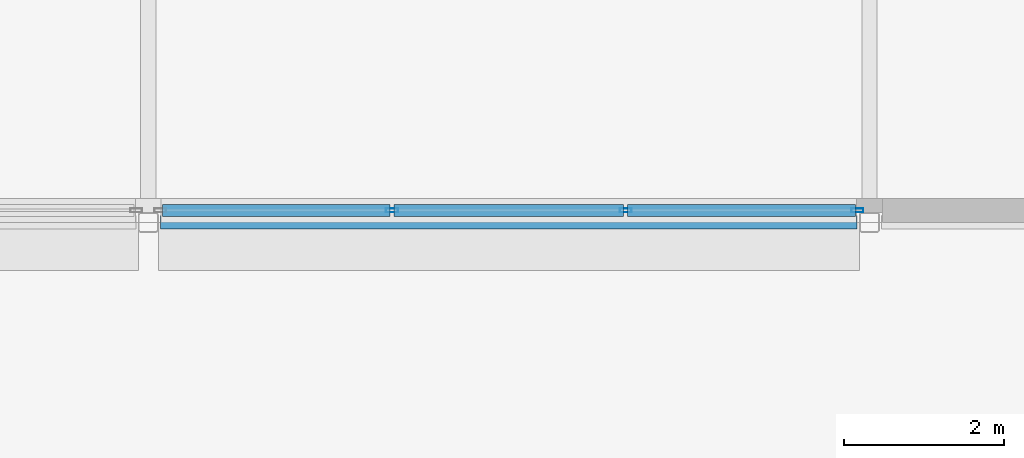
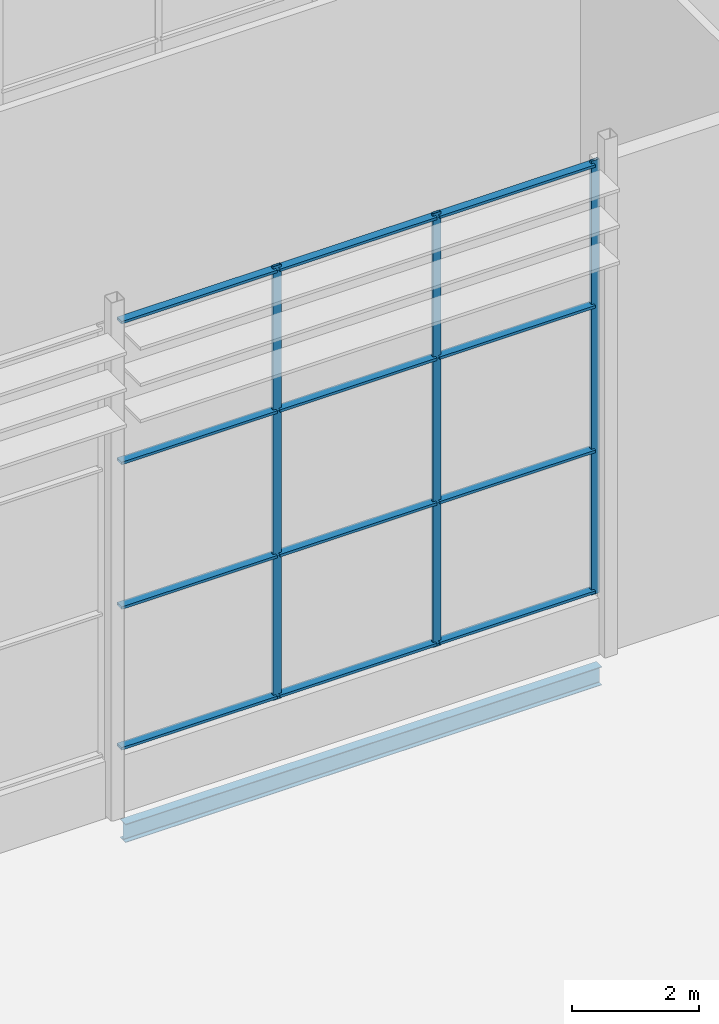
# One storey, part 24 of 111: 15 members, 1 beam, 1 element without a shape of its own.
"""IFC4 building model written with IfcOpenShell, lengths in metres."""

import ifcopenshell
import ifcopenshell.guid

model = None  # the IFC model being written
_history = None  # IfcOwnerHistory: only IFC2X3 demands one
_inside = {}  # id of a spatial element -> (the spatial element, [elements in it])
_under = {}  # id of a project, library or spatial element -> (it, [spatial elements below it])
_declared = {}  # id of a project -> (the project, [libraries it declares])
_typed = {}  # id of a type object -> (the type object, [elements of that type])
_made_of = {}  # id of a material, layer set ... -> (it, [elements and type objects made of it])


def new_model(schema):
    """Start an empty IFC model of exactly this schema.

    Asked for "IFC4X3", IfcOpenShell would pick the latest addendum, in which some entities
    have other attributes; the version numbers below select the first issue.
    IFC2X3 requires an IfcOwnerHistory on every rooted entity: one is made here for all.
    """
    global model, _history
    if schema == "IFC4X3":
        model = ifcopenshell.file(schema_version=(4, 3, 0, 0))
    else:
        model = ifcopenshell.file(schema=schema)
    _inside.clear()
    _under.clear()
    _declared.clear()
    _typed.clear()
    _made_of.clear()
    _history = None
    if model.schema == "IFC2X3":
        org = make("IfcOrganization", Name="unknown")
        user = make(
            "IfcPersonAndOrganization",
            ThePerson=make("IfcPerson", FamilyName="unknown"),
            TheOrganization=org,
        )
        app = make(
            "IfcApplication",
            ApplicationDeveloper=org,
            Version="unknown",
            ApplicationFullName="unknown",
            ApplicationIdentifier="unknown",
        )
        _history = make(
            "IfcOwnerHistory",
            OwningUser=user,
            OwningApplication=app,
            ChangeAction="ADDED",
            CreationDate=0,
        )
    return model


def make(cls, **values):
    """One entity of the class cls with the attributes given. An attribute that is None is left unset."""
    return model.create_entity(
        cls, **{name: value for name, value in values.items() if value is not None}
    )


def rooted(cls, **values):
    """An entity with a GlobalId (a new one), such as an element, a storey or a relation."""
    return make(cls, GlobalId=ifcopenshell.guid.new(), OwnerHistory=_history, **values)


def si_unit(unit_type, name, prefix=None):
    """IfcSIUnit, for example si_unit("LENGTHUNIT", "METRE", prefix="MILLI")."""
    return make("IfcSIUnit", UnitType=unit_type, Prefix=prefix, Name=name)


def assignment(units):
    """IfcUnitAssignment: the units of a project."""
    return None if units is None else make("IfcUnitAssignment", Units=units)


def point(xyz):
    """IfcCartesianPoint."""
    return None if xyz is None else make("IfcCartesianPoint", Coordinates=xyz)


def direction(xyz):
    """IfcDirection."""
    return None if xyz is None else make("IfcDirection", DirectionRatios=xyz)


def frame(location, z_axis=None, x_axis=None):
    """IfcAxis2Placement3D, a coordinate frame: its origin and axes. An axis left out is left unset."""
    return make(
        "IfcAxis2Placement3D",
        Location=point(location),
        Axis=direction(z_axis),
        RefDirection=direction(x_axis),
    )


def frame_2d(location, x_axis=None):
    """IfcAxis2Placement2D, a coordinate frame in the plane: its origin and x axis."""
    return make(
        "IfcAxis2Placement2D", Location=point(location), RefDirection=direction(x_axis)
    )


def origin():
    """The frame at (0, 0, 0) with its axes left unset."""
    return frame((0.0, 0.0, 0.0))


def origin_2d():
    """The frame at (0, 0) in the plane with its x axis left unset."""
    return frame_2d((0.0, 0.0))


def place(relative_to, where):
    """IfcLocalPlacement: puts the frame where relative to a parent placement (None: the world)."""
    return make(
        "IfcLocalPlacement", PlacementRelTo=relative_to, RelativePlacement=where
    )


def context(
    kind, dimensions, precision=None, world=None, true_north=None, identifier=None
):
    """IfcGeometricRepresentationContext, for example the 3D "Model" context."""
    return make(
        "IfcGeometricRepresentationContext",
        ContextIdentifier=identifier,
        ContextType=kind,
        CoordinateSpaceDimension=dimensions,
        Precision=precision,
        WorldCoordinateSystem=world,
        TrueNorth=true_north,
    )


def subcontext(parent, identifier, kind, view, scale=None):
    """IfcGeometricRepresentationSubContext, for example "Body" below "Model"."""
    return make(
        "IfcGeometricRepresentationSubContext",
        ContextIdentifier=identifier,
        ContextType=kind,
        ParentContext=parent,
        TargetScale=scale,
        TargetView=view,
    )


def project(units=None, contexts=None):
    """IfcProject with its units and contexts."""
    return rooted(
        "IfcProject",
        Name="project",
        RepresentationContexts=contexts,
        UnitsInContext=assignment(units),
    )


def spatial(cls, under=None, at=None, **own):
    """A site, building, storey or space (cls), placed at a placement, below another one or the project."""
    s = rooted(cls, ObjectPlacement=at, **own)
    if under is not None:
        _under.setdefault(under.id(), (under, []))[1].append(s)
    return s


def profile(cls, at=None, kind="AREA", **sizes):
    """A parametric profile (cls). Its sizes go by their IFC names, for example OverallWidth=200.0."""
    return make(cls, ProfileType=kind, Position=at, **sizes)


def hollow_rectangle(**sizes):
    """IfcRectangleHollowProfileDef."""
    return profile("IfcRectangleHollowProfileDef", **sizes)


def i_section(**sizes):
    """IfcIShapeProfileDef."""
    return profile("IfcIShapeProfileDef", **sizes)


def extrude(swept, where, along, depth):
    """IfcExtrudedAreaSolid: the profile swept, set in the frame where, extruded along a direction by depth."""
    return make(
        "IfcExtrudedAreaSolid",
        SweptArea=swept,
        Position=where,
        ExtrudedDirection=direction(along),
        Depth=depth,
    )


def shape(context_of_items, identifier, shape_type, items):
    """IfcShapeRepresentation: the items that make up one representation, for example the "Body"."""
    return make(
        "IfcShapeRepresentation",
        ContextOfItems=context_of_items,
        RepresentationIdentifier=identifier,
        RepresentationType=shape_type,
        Items=items,
    )


def material(Name=None, Category=None):
    """IfcMaterial."""
    return make("IfcMaterial", Name=Name, Category=Category)


def layer(
    of_material, thickness, ventilated=None, Name=None, Category=None, Priority=None
):
    """IfcMaterialLayer: one layer of a wall or slab, of a material (None: an air gap)."""
    return make(
        "IfcMaterialLayer",
        Material=of_material,
        LayerThickness=thickness,
        IsVentilated=ventilated,
        Name=Name,
        Category=Category,
        Priority=Priority,
    )


def layer_set(layers, Name=None):
    """IfcMaterialLayerSet."""
    return make("IfcMaterialLayerSet", MaterialLayers=layers, LayerSetName=Name)


def material_profile(
    of_material, cross_section, Name=None, Category=None, Priority=None
):
    """IfcMaterialProfile: a cross section and its material."""
    return make(
        "IfcMaterialProfile",
        Name=Name,
        Material=of_material,
        Profile=cross_section,
        Priority=Priority,
        Category=Category,
    )


def profile_set(profiles, Name=None, composite=None):
    """IfcMaterialProfileSet."""
    return make(
        "IfcMaterialProfileSet",
        Name=Name,
        MaterialProfiles=profiles,
        CompositeProfile=composite,
    )


def made_of(thing, what):
    """Note that an element or type object is made of a material, layer set ...; save() writes the relation."""
    if what is not None:
        _made_of.setdefault(what.id(), (what, []))[1].append(thing)
    return thing


def type_object(cls, material=None, **own):
    """A type object (cls), such as IfcWallType, which elements share."""
    return made_of(rooted(cls, **own), material)


def element(
    cls,
    number,
    at=None,
    inside=None,
    cuts=None,
    type_object=None,
    material=None,
    context=None,
    identifier="Body",
    shape_type=None,
    held_by="IfcProductDefinitionShape",
    body=None,
    shapes=None,
    **own,
):
    """One element of the class cls, such as IfcWall. Its Tag is "e" and its number.

    at: its placement. inside: the storey or other place that contains it. cuts: it is an
    opening in that element (IfcRelVoidsElement). A single representation is given by context,
    identifier, shape_type and body (its items); several are given by shapes. held_by: the class
    of the entity that holds the representations. save() writes the other relations.
    """
    e = rooted(cls, Tag="e%d" % number, ObjectPlacement=at, **own)
    if body is not None:
        shapes = [shape(context, identifier, shape_type, body)]
    if shapes is not None:
        e.Representation = make(held_by, Representations=shapes)
    if inside is not None:
        _inside.setdefault(inside.id(), (inside, []))[1].append(e)
    if cuts is not None:
        rooted(
            "IfcRelVoidsElement", RelatingBuildingElement=cuts, RelatedOpeningElement=e
        )
    if type_object is not None:
        _typed.setdefault(type_object.id(), (type_object, []))[1].append(e)
    return made_of(e, material)


def aggregate(whole, parts):
    """IfcRelAggregates: a whole, such as a stair, and the parts it consists of."""
    return rooted("IfcRelAggregates", RelatingObject=whole, RelatedObjects=parts)


def save(model, path):
    """Write the relations noted so far, then the file.

    IfcRelAggregates (storeys below a building ...), IfcRelContainedInSpatialStructure (elements
    in a storey), IfcRelDefinesByType, IfcRelAssociatesMaterial and IfcRelDeclares: one each for
    every whole, place, type object, material and project.
    """
    for whole, parts in _under.values():
        aggregate(whole, parts)
    for where, things in _inside.values():
        rooted(
            "IfcRelContainedInSpatialStructure",
            RelatedElements=things,
            RelatingStructure=where,
        )
    for kind, things in _typed.values():
        rooted("IfcRelDefinesByType", RelatedObjects=things, RelatingType=kind)
    for what, things in _made_of.values():
        rooted("IfcRelAssociatesMaterial", RelatedObjects=things, RelatingMaterial=what)
    for by, libraries in _declared.values():
        rooted("IfcRelDeclares", RelatingContext=by, RelatedDefinitions=libraries)
    model.write(path)


model = new_model("IFC4")

# Units and contexts
model_context = context("Model", 3, precision=1e-05, world=origin(), true_north=direction((0.0, 1.0)))
body_context = subcontext(model_context, "Body", "Model", "MODEL_VIEW")
ifc_project = project(units=[si_unit("LENGTHUNIT", "METRE"), si_unit("AREAUNIT", "SQUARE_METRE"), si_unit("VOLUMEUNIT", "CUBIC_METRE"), si_unit("PLANEANGLEUNIT", "RADIAN"), si_unit("MASSUNIT", "GRAM", prefix="KILO")], contexts=[model_context])

# Site, building, storey
site_placement = place(None, origin())
site = spatial("IfcSite", under=ifc_project, at=site_placement, CompositionType="ELEMENT")
building_placement = place(site_placement, origin())
building = spatial("IfcBuilding", under=site, at=building_placement, Name="Shorebreak Coast Museum", CompositionType="ELEMENT")
storey_placement = place(building_placement, frame((0.0, 0.0, 16.0)))
storey = spatial("IfcBuildingStorey", under=building, at=storey_placement, Name="L03", CompositionType="ELEMENT", Elevation=16.0)

# Beam
ifc_material_1 = material(Name="Steel Grade 300", Category="steel")
ifc_material_profile_1 = material_profile(ifc_material_1, i_section(OverallWidth=0.1708984375, OverallDepth=0.355712890625, WebThickness=0.00732421875, FlangeThickness=0.011474609375, FilletRadius=0.011474609375, at=origin_2d()), Name="360UB50.7")
ifc_profile_set_1 = profile_set([ifc_material_profile_1], Name="Steel Grade 300")
beam_type = type_object("IfcBeamType", Name="Floor girder east-west 360UB50.7", PredefinedType="BEAM", material=ifc_profile_set_1)
beam_placement = place(storey_placement, frame((90.153564453125, 54.0, -0.352783203125), z_axis=(1.0, 0.0, 0.0), x_axis=(0.0, 1.0, 0.0)))
element("IfcBeam", 1, at=beam_placement, inside=storey, type_object=beam_type, Name="Floor girder east-west L03 11G", PredefinedType="BEAM", context=body_context, shape_type="SweptSolid", body=[
    extrude(i_section(OverallWidth=0.1708984375, OverallDepth=0.355712890625, WebThickness=0.00732421875, FlangeThickness=0.011474609375, FilletRadius=0.011474609375, at=origin_2d()), origin(), (0.0, 0.0, 1.0), 8.69287109375),
])

# Curtain wall, members
ifc_material_2 = material(Name="Aluminium", Category="aluminium")
ifc_layer = layer(ifc_material_2, 0.14990234375)
ifc_layer_set = layer_set([ifc_layer], Name="Aluminium")
curtain_wall_type = type_object("IfcCurtainWallType", Name="Storefront curtain wall", PredefinedType="NOTDEFINED", material=ifc_layer_set)
curtain_wall_placement = place(storey_placement, origin())
curtain_wall = element("IfcCurtainWall", 2, at=curtain_wall_placement, inside=storey, type_object=curtain_wall_type, Name="Atrium Hall glazing L03 S 3", PredefinedType="NOTDEFINED")
ifc_material_3 = material(Name="Aluminium", Category="aluminium")
ifc_material_profile_2 = material_profile(ifc_material_3, hollow_rectangle(XDim=0.050048828125, YDim=0.14990234375, WallThickness=0.00390625, at=origin_2d()), Name="AL 150x50 RHS")
ifc_profile_set_2 = profile_set([ifc_material_profile_2], Name="Aluminium")
member_type_1 = type_object("IfcMemberType", Name="Storefront mullion 50 x 150", PredefinedType="MULLION", material=ifc_profile_set_2)
member_1_placement = place(storey_placement, frame((93.041748046875, 54.14990234375, 1.10009765625), z_axis=(0.0, 0.0, 1.0), x_axis=(0.0, 1.0, 0.0)))
member_1 = element("IfcMember", 3, at=member_1_placement, type_object=member_type_1, Name="CW5 mullion 2", PredefinedType="MULLION", context=body_context, shape_type="SweptSolid", body=[
    extrude(hollow_rectangle(XDim=0.050048828125, YDim=0.14990234375, WallThickness=0.00390625, at=origin_2d()), origin(), (0.0, 0.0, 1.0), 8.372802734375),
])
member_2_placement = place(storey_placement, frame((95.958251953125, 54.14990234375, 1.10009765625), z_axis=(0.0, 0.0, 1.0), x_axis=(0.0, 1.0, 0.0)))
member_2 = element("IfcMember", 4, at=member_2_placement, type_object=member_type_1, Name="CW5 mullion 3", PredefinedType="MULLION", context=body_context, shape_type="SweptSolid", body=[
    extrude(hollow_rectangle(XDim=0.050048828125, YDim=0.14990234375, WallThickness=0.00390625, at=origin_2d()), origin(), (0.0, 0.0, 1.0), 8.372802734375),
])
member_3_placement = place(storey_placement, frame((98.85009765625, 54.14990234375, 1.10009765625), z_axis=(0.0, 0.0, 1.0), x_axis=(0.0, 1.0, 0.0)))
member_3 = element("IfcMember", 5, at=member_3_placement, type_object=member_type_1, Name="CW5 mullion 4", PredefinedType="MULLION", context=body_context, shape_type="SweptSolid", body=[
    extrude(hollow_rectangle(XDim=0.050048828125, YDim=0.14990234375, WallThickness=0.00390625, at=origin_2d()), origin(), (0.0, 0.0, 1.0), 8.372802734375),
])
ifc_material_4 = material(Name="Aluminium", Category="aluminium")
ifc_material_profile_3 = material_profile(ifc_material_4, hollow_rectangle(XDim=0.14990234375, YDim=0.050048828125, WallThickness=0.00390625, at=origin_2d()), Name="AL 50x150 RHS")
ifc_profile_set_3 = profile_set([ifc_material_profile_3], Name="Aluminium")
member_type_2 = type_object("IfcMemberType", Name="Storefront transom 150 x 50", PredefinedType="USERDEFINED", material=ifc_profile_set_3)
member_4_placement = place(storey_placement, frame((90.175048828125, 54.14990234375, 1.175048828125), z_axis=(1.0, 0.0, 0.0), x_axis=(0.0, 1.0, 0.0)))
member_4 = element("IfcMember", 6, at=member_4_placement, type_object=member_type_2, Name="CW5 transom 1.1", ObjectType="TRANSOM", PredefinedType="USERDEFINED", context=body_context, shape_type="SweptSolid", body=[
    extrude(hollow_rectangle(XDim=0.14990234375, YDim=0.050048828125, WallThickness=0.00390625, at=origin_2d()), origin(), (0.0, 0.0, 1.0), 2.841552734375),
])
member_5_placement = place(storey_placement, frame((90.175048828125, 54.14990234375, 3.89111328125), z_axis=(1.0, 0.0, 0.0), x_axis=(0.0, 1.0, 0.0)))
member_5 = element("IfcMember", 7, at=member_5_placement, type_object=member_type_2, Name="CW5 transom 1.2", ObjectType="TRANSOM", PredefinedType="USERDEFINED", context=body_context, shape_type="SweptSolid", body=[
    extrude(hollow_rectangle(XDim=0.14990234375, YDim=0.050048828125, WallThickness=0.00390625, at=origin_2d()), origin(), (0.0, 0.0, 1.0), 2.841552734375),
])
member_6_placement = place(storey_placement, frame((90.175048828125, 54.14990234375, 6.681884765625), z_axis=(1.0, 0.0, 0.0), x_axis=(0.0, 1.0, 0.0)))
member_6 = element("IfcMember", 8, at=member_6_placement, type_object=member_type_2, Name="CW5 transom 1.3", ObjectType="TRANSOM", PredefinedType="USERDEFINED", context=body_context, shape_type="SweptSolid", body=[
    extrude(hollow_rectangle(XDim=0.14990234375, YDim=0.050048828125, WallThickness=0.00390625, at=origin_2d()), origin(), (0.0, 0.0, 1.0), 2.841552734375),
])
member_7_placement = place(storey_placement, frame((90.175048828125, 54.14990234375, 9.39794921875), z_axis=(1.0, 0.0, 0.0), x_axis=(0.0, 1.0, 0.0)))
member_7 = element("IfcMember", 9, at=member_7_placement, type_object=member_type_2, Name="CW5 transom 1.4", ObjectType="TRANSOM", PredefinedType="USERDEFINED", context=body_context, shape_type="SweptSolid", body=[
    extrude(hollow_rectangle(XDim=0.14990234375, YDim=0.050048828125, WallThickness=0.00390625, at=origin_2d()), origin(), (0.0, 0.0, 1.0), 2.841552734375),
])
member_8_placement = place(storey_placement, frame((93.066650390625, 54.14990234375, 1.175048828125), z_axis=(1.0, 0.0, 0.0), x_axis=(0.0, 1.0, 0.0)))
member_8 = element("IfcMember", 10, at=member_8_placement, type_object=member_type_2, Name="CW5 transom 2.1", ObjectType="TRANSOM", PredefinedType="USERDEFINED", context=body_context, shape_type="SweptSolid", body=[
    extrude(hollow_rectangle(XDim=0.14990234375, YDim=0.050048828125, WallThickness=0.00390625, at=origin_2d()), origin(), (0.0, 0.0, 1.0), 2.86669921875),
])
member_9_placement = place(storey_placement, frame((93.066650390625, 54.14990234375, 3.89111328125), z_axis=(1.0, 0.0, 0.0), x_axis=(0.0, 1.0, 0.0)))
member_9 = element("IfcMember", 11, at=member_9_placement, type_object=member_type_2, Name="CW5 transom 2.2", ObjectType="TRANSOM", PredefinedType="USERDEFINED", context=body_context, shape_type="SweptSolid", body=[
    extrude(hollow_rectangle(XDim=0.14990234375, YDim=0.050048828125, WallThickness=0.00390625, at=origin_2d()), origin(), (0.0, 0.0, 1.0), 2.86669921875),
])
member_10_placement = place(storey_placement, frame((93.066650390625, 54.14990234375, 6.681884765625), z_axis=(1.0, 0.0, 0.0), x_axis=(0.0, 1.0, 0.0)))
member_10 = element("IfcMember", 12, at=member_10_placement, type_object=member_type_2, Name="CW5 transom 2.3", ObjectType="TRANSOM", PredefinedType="USERDEFINED", context=body_context, shape_type="SweptSolid", body=[
    extrude(hollow_rectangle(XDim=0.14990234375, YDim=0.050048828125, WallThickness=0.00390625, at=origin_2d()), origin(), (0.0, 0.0, 1.0), 2.86669921875),
])
member_11_placement = place(storey_placement, frame((93.066650390625, 54.14990234375, 9.39794921875), z_axis=(1.0, 0.0, 0.0), x_axis=(0.0, 1.0, 0.0)))
member_11 = element("IfcMember", 13, at=member_11_placement, type_object=member_type_2, Name="CW5 transom 2.4", ObjectType="TRANSOM", PredefinedType="USERDEFINED", context=body_context, shape_type="SweptSolid", body=[
    extrude(hollow_rectangle(XDim=0.14990234375, YDim=0.050048828125, WallThickness=0.00390625, at=origin_2d()), origin(), (0.0, 0.0, 1.0), 2.86669921875),
])
member_12_placement = place(storey_placement, frame((95.9833984375, 54.14990234375, 1.175048828125), z_axis=(1.0, 0.0, 0.0), x_axis=(0.0, 1.0, 0.0)))
member_12 = element("IfcMember", 14, at=member_12_placement, type_object=member_type_2, Name="CW5 transom 3.1", ObjectType="TRANSOM", PredefinedType="USERDEFINED", context=body_context, shape_type="SweptSolid", body=[
    extrude(hollow_rectangle(XDim=0.14990234375, YDim=0.050048828125, WallThickness=0.00390625, at=origin_2d()), origin(), (0.0, 0.0, 1.0), 2.841552734375),
])
member_13_placement = place(storey_placement, frame((95.9833984375, 54.14990234375, 3.89111328125), z_axis=(1.0, 0.0, 0.0), x_axis=(0.0, 1.0, 0.0)))
member_13 = element("IfcMember", 15, at=member_13_placement, type_object=member_type_2, Name="CW5 transom 3.2", ObjectType="TRANSOM", PredefinedType="USERDEFINED", context=body_context, shape_type="SweptSolid", body=[
    extrude(hollow_rectangle(XDim=0.14990234375, YDim=0.050048828125, WallThickness=0.00390625, at=origin_2d()), origin(), (0.0, 0.0, 1.0), 2.841552734375),
])
member_14_placement = place(storey_placement, frame((95.9833984375, 54.14990234375, 6.681884765625), z_axis=(1.0, 0.0, 0.0), x_axis=(0.0, 1.0, 0.0)))
member_14 = element("IfcMember", 16, at=member_14_placement, type_object=member_type_2, Name="CW5 transom 3.3", ObjectType="TRANSOM", PredefinedType="USERDEFINED", context=body_context, shape_type="SweptSolid", body=[
    extrude(hollow_rectangle(XDim=0.14990234375, YDim=0.050048828125, WallThickness=0.00390625, at=origin_2d()), origin(), (0.0, 0.0, 1.0), 2.841552734375),
])
member_15_placement = place(storey_placement, frame((95.9833984375, 54.14990234375, 9.39794921875), z_axis=(1.0, 0.0, 0.0), x_axis=(0.0, 1.0, 0.0)))
member_15 = element("IfcMember", 17, at=member_15_placement, type_object=member_type_2, Name="CW5 transom 3.4", ObjectType="TRANSOM", PredefinedType="USERDEFINED", context=body_context, shape_type="SweptSolid", body=[
    extrude(hollow_rectangle(XDim=0.14990234375, YDim=0.050048828125, WallThickness=0.00390625, at=origin_2d()), origin(), (0.0, 0.0, 1.0), 2.841552734375),
])
aggregate(curtain_wall, [member_1, member_2, member_3, member_4, member_5, member_6, member_7, member_8, member_9, member_10, member_11, member_12, member_13, member_14, member_15])

save(model, "model.ifc")
